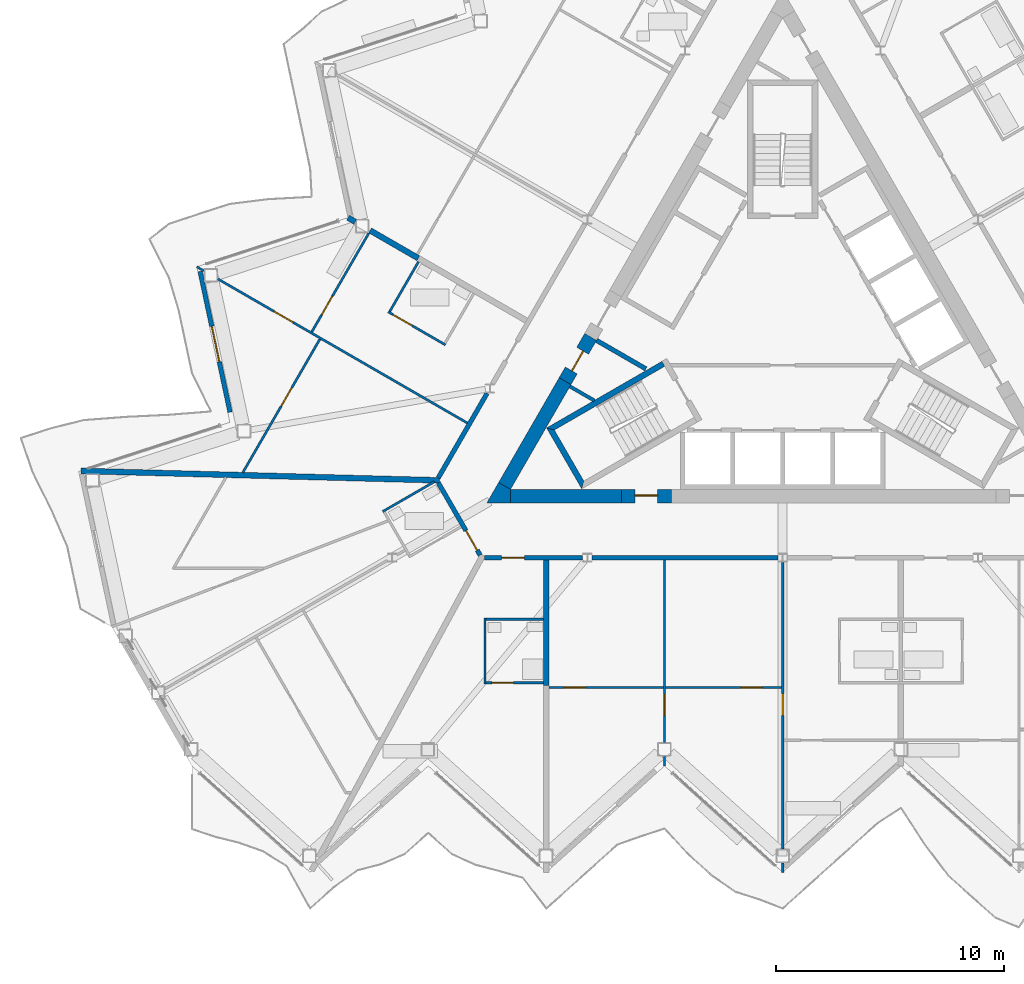
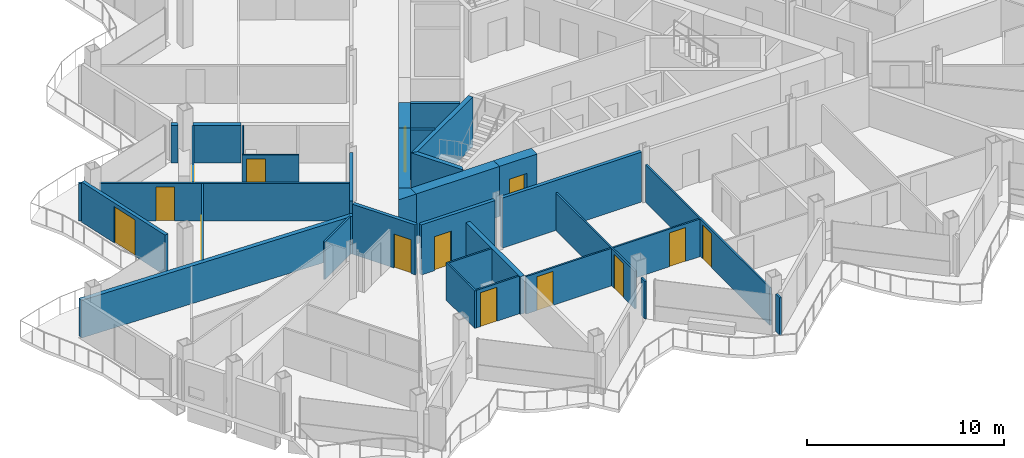
# One storey, part 14 of 28: 33 walls, 14 doors, 14 openings.
"""IFC4 building model written with IfcOpenShell, lengths in metres."""

from ifc_helpers import new_model, si_unit, direction, frame, frame_2d, origin, place, context, subcontext, project, spatial, polyline, rectangle, outline, extrude, material, layer, layer_set, type_object, element, fill, save


model = new_model("IFC4")

# Units and contexts
model_context = context("Model", 3, precision=1e-05, world=origin(), true_north=direction((0.0, 1.0)))
body_context = subcontext(model_context, "Body", "Model", "MODEL_VIEW")
ifc_project = project(units=[si_unit("LENGTHUNIT", "METRE"), si_unit("AREAUNIT", "SQUARE_METRE"), si_unit("VOLUMEUNIT", "CUBIC_METRE"), si_unit("PLANEANGLEUNIT", "RADIAN"), si_unit("MASSUNIT", "GRAM", prefix="KILO")], contexts=[model_context])

# Site, building, storey
site_placement = place(None, origin())
site = spatial("IfcSite", under=ifc_project, at=site_placement, CompositionType="ELEMENT")
building_placement = place(site_placement, origin())
building = spatial("IfcBuilding", under=site, at=building_placement, Name="Cormorant Prow Tower", CompositionType="ELEMENT")
storey_placement = place(building_placement, frame((0.0, 0.0, 301.800048828125)))
storey = spatial("IfcBuildingStorey", under=building, at=storey_placement, Name="L65", CompositionType="ELEMENT", Elevation=301.800048828125)

# Walls
ifc_material_1 = material(Name="Gypsum board partition")
ifc_layer_1 = layer(ifc_material_1, 0.14990234375)
ifc_layer_set_1 = layer_set([ifc_layer_1], Name="Gypsum board partition")
wall_type_1 = type_object("IfcWallType", Name="Core partition 150", PredefinedType="PARTITIONING", material=ifc_layer_set_1)
wall_1_placement = place(storey_placement, frame((-9.349609375, -2.3828125, 0.0), z_axis=(0.0, 0.0, 1.0), x_axis=(0.866057962423, -0.499943602543, 0.0)))
element("IfcWall", 1, at=wall_1_placement, inside=storey, type_object=wall_type_1, Name="Service room partition", PredefinedType="PARTITIONING", context=body_context, shape_type="SweptSolid", body=[
    extrude(rectangle(XDim=1.242431640625, YDim=0.14990234375, at=frame_2d((0.62109375, 0.0))), origin(), (0.0, 0.0, 1.0), 3.099853515625),
])
ifc_material_2 = material(Name="Concrete 8000 psi", Category="concrete")
ifc_layer_2 = layer(ifc_material_2, 0.60009765625)
ifc_layer_set_2 = layer_set([ifc_layer_2], Name="Concrete 8000 psi")
wall_type_2 = type_object("IfcWallType", Name="Core shear wall 600", PredefinedType="SHEAR", material=ifc_layer_set_2)
wall_2_placement = place(storey_placement, frame((-11.960693359375, -7.20556640625, 0.0), z_axis=(0.0, 0.0, 1.0), x_axis=(1.0, 0.0, 0.0)))
element("IfcWall", 2, at=wall_2_placement, inside=storey, type_object=wall_type_2, Name="Core wall", PredefinedType="SHEAR", context=body_context, shape_type="SweptSolid", body=[
    extrude(rectangle(XDim=4.868408203125, YDim=0.60009765625, at=frame_2d((2.43408203125, 0.0))), origin(), (0.0, 0.0, 1.0), 3.099853515625),
])
wall_3_placement = place(storey_placement, frame((-9.561767578125, -2.150390625, 0.0), z_axis=(0.0, 0.0, 1.0), x_axis=(-0.500015214976, -0.866016619236, 0.0)))
element("IfcWall", 3, at=wall_3_placement, inside=storey, type_object=wall_type_2, Name="Core wall", PredefinedType="SHEAR", context=body_context, shape_type="SweptSolid", body=[
    extrude(rectangle(XDim=5.317626953125, YDim=0.60009765625, at=frame_2d((2.65869140625, 0.0))), origin(), (0.0, 0.0, 1.0), 3.099853515625),
])
wall_4_placement = place(storey_placement, origin())
element("IfcWall", 4, at=wall_4_placement, inside=storey, type_object=wall_type_2, Name="Core wall corner", PredefinedType="SHEAR", context=body_context, shape_type="SweptSolid", body=[
    extrude(outline(polyline([(-12.48046875, -6.605712890625), (-11.960693359375, -6.905517578125), (-11.960693359375, -7.505615234375), (-13.0, -7.505615234375), (-12.48046875, -6.605712890625)])), origin(), (0.0, 0.0, 1.0), 3.099853515625),
])

# Wall, opening, door
wall_5_placement = place(storey_placement, frame((-7.09228515625, -7.20556640625, 0.0), z_axis=(0.0, 0.0, 1.0), x_axis=(1.0, 0.0, 0.0)))
wall_5 = element("IfcWall", 5, at=wall_5_placement, inside=storey, type_object=wall_type_2, Name="Core wall door panel", PredefinedType="SHEAR", context=body_context, shape_type="SweptSolid", body=[
    extrude(rectangle(XDim=2.2001953125, YDim=0.60009765625, at=frame_2d((1.10009765625, 0.0))), origin(), (0.0, 0.0, 1.0), 3.099853515625),
])
opening_1_placement = place(wall_5_placement, frame((0.60009765625, 0.0, 0.0)))
opening_1 = element("IfcOpeningElement", 6, at=opening_1_placement, cuts=wall_5, Name="Opening L65-C16", PredefinedType="OPENING", context=body_context, shape_type="SweptSolid", body=[
    extrude(rectangle(XDim=1.0, YDim=2.10009765625, at=frame_2d((0.5, 1.050048828125))), frame((0.0, 0.31005859375, 0.0), z_axis=(0.0, -1.0, 0.0), x_axis=(1.0, 0.0, 0.0)), (0.0, 0.0, 1.0), 0.6201171875),
])
ifc_material_3 = material(Name="Painted steel", Category="steel")
door_type_1 = type_object("IfcDoorType", Name="Service door 1000x2100", OperationType="NOTDEFINED", PredefinedType="DOOR", material=ifc_material_3)
door_1_placement = place(opening_1_placement, origin())
door_1 = element("IfcDoor", 7, at=door_1_placement, inside=storey, type_object=door_type_1, Name="Core door, Pantry store", OperationType="SINGLE_SWING_LEFT", OverallHeight=2.10009765625, OverallWidth=1.0, PredefinedType="DOOR", context=body_context, shape_type="SweptSolid", body=[
    extrude(rectangle(XDim=1.0, YDim=2.10009765625, at=frame_2d((0.5, 1.050048828125))), frame((0.0, 0.05517578125, 0.0), z_axis=(0.0, -1.0, 0.0), x_axis=(1.0, 0.0, 0.0)), (0.0, 0.0, 1.0), 0.050048828125),
])
fill(opening_1, door_1)

wall_6_placement = place(storey_placement, frame((-8.440185546875, -0.207763671875, 0.0), z_axis=(0.0, 0.0, 1.0), x_axis=(-0.500001951578, -0.866024277037, 0.0)))
wall_6 = element("IfcWall", 8, at=wall_6_placement, inside=storey, type_object=wall_type_2, Name="Core wall door panel", PredefinedType="SHEAR", context=body_context, shape_type="SweptSolid", body=[
    extrude(rectangle(XDim=2.2431640625, YDim=0.60009765625, at=frame_2d((1.12158203125, 0.0))), origin(), (0.0, 0.0, 1.0), 3.099853515625),
])
opening_2_placement = place(wall_6_placement, frame((0.699951171875, 0.0, 0.0)))
opening_2 = element("IfcOpeningElement", 9, at=opening_2_placement, cuts=wall_6, Name="Opening L65-C18", PredefinedType="OPENING", context=body_context, shape_type="SweptSolid", body=[
    extrude(rectangle(XDim=1.0, YDim=2.10009765625, at=frame_2d((0.5, 1.050048828125))), frame((0.0, 0.31005859375, 0.0), z_axis=(0.0, -1.0, 0.0), x_axis=(1.0, 0.0, 0.0)), (0.0, 0.0, 1.0), 0.6201171875),
])
door_2_placement = place(opening_2_placement, origin())
door_2 = element("IfcDoor", 10, at=door_2_placement, inside=storey, type_object=door_type_1, Name="Core door, Mechanical riser room", OperationType="SINGLE_SWING_LEFT", OverallHeight=2.10009765625, OverallWidth=1.0, PredefinedType="DOOR", context=body_context, shape_type="SweptSolid", body=[
    extrude(rectangle(XDim=1.0, YDim=2.10009765625, at=frame_2d((0.5, 1.050048828125))), frame((0.0, 0.05517578125, 0.0), z_axis=(0.0, -1.0, 0.0), x_axis=(1.0, 0.0, 0.0)), (0.0, 0.0, 1.0), 0.050048828125),
])
fill(opening_2, door_2)

# Wall
ifc_material_4 = material(Name="Gypsum board corridor wall")
ifc_layer_3 = layer(ifc_material_4, 0.199951171875)
ifc_layer_set_3 = layer_set([ifc_layer_3], Name="Gypsum board corridor wall")
wall_type_3 = type_object("IfcWallType", Name="Corridor wall 200", PredefinedType="PARTITIONING", material=ifc_layer_set_3)
wall_7_placement = place(storey_placement, frame((-8.370849609375, -9.905517578125, 0.0), z_axis=(0.0, 0.0, 1.0), x_axis=(1.0, 0.0, 0.0)))
element("IfcWall", 11, at=wall_7_placement, inside=storey, type_object=wall_type_3, Name="Corridor wall", PredefinedType="PARTITIONING", context=body_context, shape_type="SweptSolid", body=[
    extrude(rectangle(XDim=8.1630859375, YDim=0.199951171875, at=frame_2d((4.08154296875, 0.0))), origin(), (0.0, 0.0, 1.0), 3.099853515625),
])

# Wall, opening, door
wall_8_placement = place(storey_placement, frame((-13.10595703125, -9.905517578125, 0.0), z_axis=(0.0, 0.0, 1.0), x_axis=(1.0, 0.0, 0.0)))
wall_8 = element("IfcWall", 12, at=wall_8_placement, inside=storey, type_object=wall_type_3, Name="Corridor wall", PredefinedType="PARTITIONING", context=body_context, shape_type="SweptSolid", body=[
    extrude(rectangle(XDim=4.31982421875, YDim=0.199951171875, at=frame_2d((2.159912109375, 0.0))), origin(), (0.0, 0.0, 1.0), 3.099853515625),
])
opening_3_placement = place(wall_8_placement, frame((0.75341796875, 0.0, 0.0)))
opening_3 = element("IfcOpeningElement", 13, at=opening_3_placement, cuts=wall_8, Name="Opening L65-F01", PredefinedType="OPENING", context=body_context, shape_type="SweptSolid", body=[
    extrude(rectangle(XDim=1.0, YDim=2.10009765625, at=frame_2d((0.5, 1.050048828125))), frame((0.0, 0.10986328125, 0.0), z_axis=(0.0, -1.0, 0.0), x_axis=(1.0, 0.0, 0.0)), (0.0, 0.0, 1.0), 0.219970703125),
])
ifc_material_5 = material(Name="Timber door leaf", Category="wood")
door_type_2 = type_object("IfcDoorType", Name="Flat or room entrance door 1000x2100", OperationType="NOTDEFINED", PredefinedType="DOOR", material=ifc_material_5)
door_3_placement = place(opening_3_placement, origin())
door_3 = element("IfcDoor", 14, at=door_3_placement, inside=storey, type_object=door_type_2, Name="Studio living, kitchen and sleeping room door", OperationType="SINGLE_SWING_LEFT", OverallHeight=2.10009765625, OverallWidth=1.0, PredefinedType="DOOR", context=body_context, shape_type="SweptSolid", body=[
    extrude(rectangle(XDim=1.0, YDim=2.10009765625, at=frame_2d((0.5, 1.050048828125))), frame((0.0, 0.02490234375, 0.0), z_axis=(0.0, -1.0, 0.0), x_axis=(1.0, 0.0, 0.0)), (0.0, 0.0, 1.0), 0.050048828125),
])
fill(opening_3, door_3)

# Wall
wall_9_placement = place(storey_placement, frame((-15.13134765625, -6.397216796875, 0.0), z_axis=(0.0, 0.0, 1.0), x_axis=(0.500003406062, 0.866023437285, 0.0)))
element("IfcWall", 15, at=wall_9_placement, inside=storey, type_object=wall_type_3, Name="Corridor wall", PredefinedType="PARTITIONING", context=body_context, shape_type="SweptSolid", body=[
    extrude(rectangle(XDim=4.28759765625, YDim=0.199951171875, at=frame_2d((2.143798828125, 0.0))), origin(), (0.0, 0.0, 1.0), 3.099853515625),
])

# Wall, opening, door
wall_10_placement = place(storey_placement, frame((-15.13134765625, -6.61376953125, 0.0), z_axis=(0.0, 0.0, 1.0), x_axis=(0.499967746641, -0.866044024469, 0.0)))
wall_10 = element("IfcWall", 16, at=wall_10_placement, inside=storey, type_object=wall_type_3, Name="Corridor wall", PredefinedType="PARTITIONING", context=body_context, shape_type="SweptSolid", body=[
    extrude(rectangle(XDim=3.676025390625, YDim=0.199951171875, at=frame_2d((1.837890625, 0.0))), origin(), (0.0, 0.0, 1.0), 3.099853515625),
])
opening_4_placement = place(wall_10_placement, frame((2.426025390625, 0.0, 0.0)))
opening_4 = element("IfcOpeningElement", 17, at=opening_4_placement, cuts=wall_10, Name="Opening L65-F51", PredefinedType="OPENING", context=body_context, shape_type="SweptSolid", body=[
    extrude(rectangle(XDim=1.0, YDim=2.10009765625, at=frame_2d((0.5, 1.050048828125))), frame((0.0, 0.10986328125, 0.0), z_axis=(0.0, -1.0, 0.0), x_axis=(1.0, 0.0, 0.0)), (0.0, 0.0, 1.0), 0.219970703125),
])
door_4_placement = place(opening_4_placement, origin())
door_4 = element("IfcDoor", 18, at=door_4_placement, inside=storey, type_object=door_type_2, Name="Living room door", OperationType="SINGLE_SWING_RIGHT", OverallHeight=2.10009765625, OverallWidth=1.0, PredefinedType="DOOR", context=body_context, shape_type="SweptSolid", body=[
    extrude(rectangle(XDim=1.0, YDim=2.10009765625, at=frame_2d((0.5, 1.050048828125))), frame((0.0, 0.02490234375, 0.0), z_axis=(0.0, -1.0, 0.0), x_axis=(1.0, 0.0, 0.0)), (0.0, 0.0, 1.0), 0.050048828125),
])
fill(opening_4, door_4)

ifc_material_6 = material(Name="Gypsum board partition")
ifc_layer_4 = layer(ifc_material_6, 0.10009765625)
ifc_layer_set_4 = layer_set([ifc_layer_4], Name="Gypsum board partition")
wall_type_4 = type_object("IfcWallType", Name="Internal partition 100", PredefinedType="PARTITIONING", material=ifc_layer_set_4)
wall_11_placement = place(storey_placement, frame((-24.814697265625, 2.3388671875, 0.0), z_axis=(0.0, 0.0, 1.0), x_axis=(0.866021406514, -0.500006923412, 0.0)))
wall_11 = element("IfcWall", 19, at=wall_11_placement, inside=storey, type_object=wall_type_4, Name="Internal partition", PredefinedType="PARTITIONING", context=body_context, shape_type="SweptSolid", body=[
    extrude(rectangle(XDim=12.654052734375, YDim=0.10009765625, at=frame_2d((6.3271484375, 0.0))), origin(), (0.0, 0.0, 1.0), 2.330078125),
])
opening_5_placement = place(wall_11_placement, frame((2.850830078125, 0.0, 0.0)))
opening_5 = element("IfcOpeningElement", 20, at=opening_5_placement, cuts=wall_11, Name="Opening L65-F49", PredefinedType="OPENING", context=body_context, shape_type="SweptSolid", body=[
    extrude(rectangle(XDim=0.949951171875, YDim=2.10009765625, at=frame_2d((0.47509765625, 1.050048828125))), frame((0.0, 0.06005859375, 0.0), z_axis=(0.0, -1.0, 0.0), x_axis=(1.0, 0.0, 0.0)), (0.0, 0.0, 1.0), 0.1201171875),
])
ifc_material_7 = material(Name="Timber door leaf", Category="wood")
door_type_3 = type_object("IfcDoorType", Name="Bathroom door 950x2100", OperationType="NOTDEFINED", PredefinedType="DOOR", material=ifc_material_7)
door_5_placement = place(opening_5_placement, origin())
door_5 = element("IfcDoor", 21, at=door_5_placement, inside=storey, type_object=door_type_3, Name="Kitchen door", OperationType="SINGLE_SWING_RIGHT", OverallHeight=2.10009765625, OverallWidth=0.949951171875, PredefinedType="DOOR", context=body_context, shape_type="SweptSolid", body=[
    extrude(rectangle(XDim=0.949951171875, YDim=2.10009765625, at=frame_2d((0.47509765625, 1.050048828125))), frame((0.0, 0.02490234375, 0.0), z_axis=(0.0, -1.0, 0.0), x_axis=(1.0, 0.0, 0.0)), (0.0, 0.0, 1.0), 0.050048828125),
])
fill(opening_5, door_5)

wall_12_placement = place(storey_placement, frame((0.0, -22.697998046875, 0.0), z_axis=(0.0, 0.0, 1.0), x_axis=(0.0, 1.0, 0.0)))
wall_12 = element("IfcWall", 22, at=wall_12_placement, inside=storey, type_object=wall_type_4, Name="Internal partition", PredefinedType="PARTITIONING", context=body_context, shape_type="SweptSolid", body=[
    extrude(rectangle(XDim=12.584716796875, YDim=0.10009765625, at=frame_2d((6.29248046875, 0.0))), origin(), (0.0, 0.0, 1.0), 2.330078125),
])
opening_6_placement = place(wall_12_placement, frame((5.86767578125, 0.0, 0.0)))
opening_6 = element("IfcOpeningElement", 23, at=opening_6_placement, cuts=wall_12, Name="Opening L65-F06", PredefinedType="OPENING", context=body_context, shape_type="SweptSolid", body=[
    extrude(rectangle(XDim=0.949951171875, YDim=2.10009765625, at=frame_2d((0.47509765625, 1.050048828125))), frame((0.0, 0.06005859375, 0.0), z_axis=(0.0, -1.0, 0.0), x_axis=(1.0, 0.0, 0.0)), (0.0, 0.0, 1.0), 0.1201171875),
])
door_6_placement = place(opening_6_placement, origin())
door_6 = element("IfcDoor", 24, at=door_6_placement, inside=storey, type_object=door_type_3, Name="Living room door", OperationType="SINGLE_SWING_RIGHT", OverallHeight=2.10009765625, OverallWidth=0.949951171875, PredefinedType="DOOR", context=body_context, shape_type="SweptSolid", body=[
    extrude(rectangle(XDim=0.949951171875, YDim=2.10009765625, at=frame_2d((0.47509765625, 1.050048828125))), frame((0.0, 0.02490234375, 0.0), z_axis=(0.0, -1.0, 0.0), x_axis=(1.0, 0.0, 0.0)), (0.0, 0.0, 1.0), 0.050048828125),
])
fill(opening_6, door_6)

# Wall, openings, doors
wall_13_placement = place(storey_placement, frame((-10.2568359375, -15.612548828125, 0.0), z_axis=(0.0, 0.0, 1.0), x_axis=(1.0, 0.0, 0.0)))
wall_13 = element("IfcWall", 25, at=wall_13_placement, inside=storey, type_object=wall_type_4, Name="Internal partition", PredefinedType="PARTITIONING", context=body_context, shape_type="SweptSolid", body=[
    extrude(rectangle(XDim=10.206787109375, YDim=0.10009765625, at=frame_2d((5.103515625, 0.0))), origin(), (0.0, 0.0, 1.0), 2.330078125),
])
opening_7_placement = place(wall_13_placement, frame((8.403076171875, 0.0, 0.0)))
opening_7 = element("IfcOpeningElement", 26, at=opening_7_placement, cuts=wall_13, Name="Opening L65-F07", PredefinedType="OPENING", context=body_context, shape_type="SweptSolid", body=[
    extrude(rectangle(XDim=0.949951171875, YDim=2.10009765625, at=frame_2d((0.47509765625, 1.050048828125))), frame((0.0, 0.06005859375, 0.0), z_axis=(0.0, -1.0, 0.0), x_axis=(1.0, 0.0, 0.0)), (0.0, 0.0, 1.0), 0.1201171875),
])
opening_8_placement = place(wall_13_placement, frame((0.652587890625, 0.0, 0.0)))
opening_8 = element("IfcOpeningElement", 27, at=opening_8_placement, cuts=wall_13, Name="Opening L65-F09", PredefinedType="OPENING", context=body_context, shape_type="SweptSolid", body=[
    extrude(rectangle(XDim=0.949951171875, YDim=2.10009765625, at=frame_2d((0.47509765625, 1.050048828125))), frame((0.0, 0.06005859375, 0.0), z_axis=(0.0, -1.0, 0.0), x_axis=(1.0, 0.0, 0.0)), (0.0, 0.0, 1.0), 0.1201171875),
])
door_7_placement = place(opening_7_placement, origin())
door_7 = element("IfcDoor", 28, at=door_7_placement, inside=storey, type_object=door_type_3, Name="Bedroom door", OperationType="SINGLE_SWING_RIGHT", OverallHeight=2.10009765625, OverallWidth=0.949951171875, PredefinedType="DOOR", context=body_context, shape_type="SweptSolid", body=[
    extrude(rectangle(XDim=0.949951171875, YDim=2.10009765625, at=frame_2d((0.47509765625, 1.050048828125))), frame((0.0, 0.02490234375, 0.0), z_axis=(0.0, -1.0, 0.0), x_axis=(1.0, 0.0, 0.0)), (0.0, 0.0, 1.0), 0.050048828125),
])
fill(opening_7, door_7)
door_8_placement = place(opening_8_placement, origin())
door_8 = element("IfcDoor", 29, at=door_8_placement, inside=storey, type_object=door_type_3, Name="Bedroom door", OperationType="SINGLE_SWING_LEFT", OverallHeight=2.10009765625, OverallWidth=0.949951171875, PredefinedType="DOOR", context=body_context, shape_type="SweptSolid", body=[
    extrude(rectangle(XDim=0.949951171875, YDim=2.10009765625, at=frame_2d((0.47509765625, 1.050048828125))), frame((0.0, 0.02490234375, 0.0), z_axis=(0.0, -1.0, 0.0), x_axis=(1.0, 0.0, 0.0)), (0.0, 0.0, 1.0), 0.050048828125),
])
fill(opening_8, door_8)

# Wall, opening, door
wall_14_placement = place(storey_placement, frame((-5.19091796875, -18.016845703125, 0.0), z_axis=(0.0, 0.0, 1.0), x_axis=(0.0, 1.0, 0.0)))
wall_14 = element("IfcWall", 30, at=wall_14_placement, inside=storey, type_object=wall_type_4, Name="Internal partition", PredefinedType="PARTITIONING", context=body_context, shape_type="SweptSolid", body=[
    extrude(rectangle(XDim=8.01123046875, YDim=0.10009765625, at=frame_2d((4.005615234375, 0.0))), origin(), (0.0, 0.0, 1.0), 2.330078125),
])
opening_9_placement = place(wall_14_placement, frame((1.158447265625, 0.0, 0.0)))
opening_9 = element("IfcOpeningElement", 31, at=opening_9_placement, cuts=wall_14, Name="Opening L65-F08", PredefinedType="OPENING", context=body_context, shape_type="SweptSolid", body=[
    extrude(rectangle(XDim=0.949951171875, YDim=2.10009765625, at=frame_2d((0.47509765625, 1.050048828125))), frame((0.0, 0.06005859375, 0.0), z_axis=(0.0, -1.0, 0.0), x_axis=(1.0, 0.0, 0.0)), (0.0, 0.0, 1.0), 0.1201171875),
])
door_9_placement = place(opening_9_placement, origin())
door_9 = element("IfcDoor", 32, at=door_9_placement, inside=storey, type_object=door_type_3, Name="Bedroom door", OperationType="SINGLE_SWING_RIGHT", OverallHeight=2.10009765625, OverallWidth=0.949951171875, PredefinedType="DOOR", context=body_context, shape_type="SweptSolid", body=[
    extrude(rectangle(XDim=0.949951171875, YDim=2.10009765625, at=frame_2d((0.47509765625, 1.050048828125))), frame((0.0, 0.02490234375, 0.0), z_axis=(0.0, -1.0, 0.0), x_axis=(1.0, 0.0, 0.0)), (0.0, 0.0, 1.0), 0.050048828125),
])
fill(opening_9, door_9)

wall_15_placement = place(storey_placement, frame((-23.721923828125, -6.17236328125, 0.0), z_axis=(0.0, 0.0, 1.0), x_axis=(0.499991774685, 0.86603015262, 0.0)))
wall_15 = element("IfcWall", 33, at=wall_15_placement, inside=storey, type_object=wall_type_4, Name="Internal partition", PredefinedType="PARTITIONING", context=body_context, shape_type="SweptSolid", body=[
    extrude(rectangle(XDim=6.7744140625, YDim=0.10009765625, at=frame_2d((3.38720703125, 0.0))), origin(), (0.0, 0.0, 1.0), 2.330078125),
])
opening_10_placement = place(wall_15_placement, frame((3.3642578125, 0.0, 0.0)))
opening_10 = element("IfcOpeningElement", 34, at=opening_10_placement, cuts=wall_15, Name="Opening L65-F50", PredefinedType="OPENING", context=body_context, shape_type="SweptSolid", body=[
    extrude(rectangle(XDim=0.949951171875, YDim=2.10009765625, at=frame_2d((0.47509765625, 1.050048828125))), frame((0.0, 0.06005859375, 0.0), z_axis=(0.0, -1.0, 0.0), x_axis=(1.0, 0.0, 0.0)), (0.0, 0.0, 1.0), 0.1201171875),
])
door_10_placement = place(opening_10_placement, origin())
door_10 = element("IfcDoor", 35, at=door_10_placement, inside=storey, type_object=door_type_3, Name="Bedroom door", OperationType="SINGLE_SWING_RIGHT", OverallHeight=2.10009765625, OverallWidth=0.949951171875, PredefinedType="DOOR", context=body_context, shape_type="SweptSolid", body=[
    extrude(rectangle(XDim=0.949951171875, YDim=2.10009765625, at=frame_2d((0.47509765625, 1.050048828125))), frame((0.0, 0.02490234375, 0.0), z_axis=(0.0, -1.0, 0.0), x_axis=(1.0, 0.0, 0.0)), (0.0, 0.0, 1.0), 0.050048828125),
])
fill(opening_10, door_10)

wall_16_placement = place(storey_placement, frame((-20.68896484375, 0.014404296875, 0.0), z_axis=(0.0, 0.0, 1.0), x_axis=(0.500003822013, 0.866023197133, 0.0)))
wall_16 = element("IfcWall", 36, at=wall_16_placement, inside=storey, type_object=wall_type_4, Name="Internal partition", PredefinedType="PARTITIONING", context=body_context, shape_type="SweptSolid", body=[
    extrude(rectangle(XDim=5.00732421875, YDim=0.10009765625, at=frame_2d((2.503662109375, 0.0))), origin(), (0.0, 0.0, 1.0), 2.330078125),
])
opening_11_placement = place(wall_16_placement, frame((0.85986328125, 0.0, 0.0)))
opening_11 = element("IfcOpeningElement", 37, at=opening_11_placement, cuts=wall_16, Name="Opening L65-F48", PredefinedType="OPENING", context=body_context, shape_type="SweptSolid", body=[
    extrude(rectangle(XDim=0.949951171875, YDim=2.10009765625, at=frame_2d((0.47509765625, 1.050048828125))), frame((0.0, 0.06005859375, 0.0), z_axis=(0.0, -1.0, 0.0), x_axis=(1.0, 0.0, 0.0)), (0.0, 0.0, 1.0), 0.1201171875),
])
door_11_placement = place(opening_11_placement, origin())
door_11 = element("IfcDoor", 38, at=door_11_placement, inside=storey, type_object=door_type_3, Name="Living room door", OperationType="SINGLE_SWING_LEFT", OverallHeight=2.10009765625, OverallWidth=0.949951171875, PredefinedType="DOOR", context=body_context, shape_type="SweptSolid", body=[
    extrude(rectangle(XDim=0.949951171875, YDim=2.10009765625, at=frame_2d((0.47509765625, 1.050048828125))), frame((0.0, 0.02490234375, 0.0), z_axis=(0.0, -1.0, 0.0), x_axis=(1.0, 0.0, 0.0)), (0.0, 0.0, 1.0), 0.050048828125),
])
fill(opening_11, door_11)

wall_17_placement = place(storey_placement, frame((-17.330322265625, 0.89404296875, 0.0), z_axis=(0.0, 0.0, 1.0), x_axis=(0.866032775405, -0.499987231761, 0.0)))
wall_17 = element("IfcWall", 39, at=wall_17_placement, inside=storey, type_object=wall_type_4, Name="Internal partition", PredefinedType="PARTITIONING", context=body_context, shape_type="SweptSolid", body=[
    extrude(rectangle(XDim=2.89990234375, YDim=0.10009765625, at=frame_2d((1.449951171875, 0.0))), origin(), (0.0, 0.0, 1.0), 2.330078125),
])
opening_12_placement = place(wall_17_placement, frame((0.25, 0.0, 0.0)))
opening_12 = element("IfcOpeningElement", 40, at=opening_12_placement, cuts=wall_17, Name="Opening L65-F47", PredefinedType="OPENING", context=body_context, shape_type="SweptSolid", body=[
    extrude(rectangle(XDim=0.949951171875, YDim=2.10009765625, at=frame_2d((0.47509765625, 1.050048828125))), frame((0.0, 0.06005859375, 0.0), z_axis=(0.0, -1.0, 0.0), x_axis=(1.0, 0.0, 0.0)), (0.0, 0.0, 1.0), 0.1201171875),
])
door_12_placement = place(opening_12_placement, origin())
door_12 = element("IfcDoor", 41, at=door_12_placement, inside=storey, type_object=door_type_3, Name="Living room door", OperationType="SINGLE_SWING_LEFT", OverallHeight=2.10009765625, OverallWidth=0.949951171875, PredefinedType="DOOR", context=body_context, shape_type="SweptSolid", body=[
    extrude(rectangle(XDim=0.949951171875, YDim=2.10009765625, at=frame_2d((0.47509765625, 1.050048828125))), frame((0.0, 0.02490234375, 0.0), z_axis=(0.0, -1.0, 0.0), x_axis=(1.0, 0.0, 0.0)), (0.0, 0.0, 1.0), 0.050048828125),
])
fill(opening_12, door_12)

# Walls
wall_18_placement = place(storey_placement, frame((-13.081787109375, -15.45556640625, 0.0), z_axis=(0.0, 0.0, 1.0), x_axis=(0.0, 1.0, 0.0)))
element("IfcWall", 42, at=wall_18_placement, inside=storey, type_object=wall_type_4, Name="Internal partition", PredefinedType="PARTITIONING", context=body_context, shape_type="SweptSolid", body=[
    extrude(rectangle(XDim=2.89990234375, YDim=0.10009765625, at=frame_2d((1.449951171875, 0.0))), origin(), (0.0, 0.0, 1.0), 2.330078125),
])
for number, where, z_axis, x_axis, name in (
    (43, (-17.26220703125, 0.912353515625, 0.0), (0.0, 0.0, 1.0), (0.500048846702, 0.865997200291, 0.0), "Internal partition"),
    (44, (-13.031982421875, -12.605712890625, 0.0), (0.0, 0.0, 1.0), (1.0, 0.0, 0.0), "Internal partition"),
):
    element("IfcWall", number, at=place(storey_placement, frame(where, z_axis=z_axis, x_axis=x_axis)), inside=storey, type_object=wall_type_4, Name=name, PredefinedType="PARTITIONING", context=body_context, shape_type="SweptSolid", body=[
        extrude(rectangle(XDim=2.525146484375, YDim=0.10009765625, at=frame_2d((1.2626953125, 0.0))), origin(), (0.0, 0.0, 1.0), 2.330078125),
    ])

# Wall, opening, door
wall_19_placement = place(storey_placement, frame((-13.031982421875, -15.405517578125, 0.0), z_axis=(0.0, 0.0, 1.0), x_axis=(1.0, 0.0, 0.0)))
wall_19 = element("IfcWall", 45, at=wall_19_placement, inside=storey, type_object=wall_type_4, Name="Internal partition", PredefinedType="PARTITIONING", context=body_context, shape_type="SweptSolid", body=[
    extrude(rectangle(XDim=2.525146484375, YDim=0.10009765625, at=frame_2d((1.2626953125, 0.0))), origin(), (0.0, 0.0, 1.0), 2.330078125),
])
opening_13_placement = place(wall_19_placement, frame((0.25, 0.0, 0.0)))
opening_13 = element("IfcOpeningElement", 46, at=opening_13_placement, cuts=wall_19, Name="Opening L65-F02", PredefinedType="OPENING", context=body_context, shape_type="SweptSolid", body=[
    extrude(rectangle(XDim=0.949951171875, YDim=2.10009765625, at=frame_2d((0.47509765625, 1.050048828125))), frame((0.0, 0.06005859375, 0.0), z_axis=(0.0, -1.0, 0.0), x_axis=(1.0, 0.0, 0.0)), (0.0, 0.0, 1.0), 0.1201171875),
])
door_13_placement = place(opening_13_placement, origin())
door_13 = element("IfcDoor", 47, at=door_13_placement, inside=storey, type_object=door_type_3, Name="Studio living, kitchen and sleeping room door", OperationType="SINGLE_SWING_LEFT", OverallHeight=2.10009765625, OverallWidth=0.949951171875, PredefinedType="DOOR", context=body_context, shape_type="SweptSolid", body=[
    extrude(rectangle(XDim=0.949951171875, YDim=2.10009765625, at=frame_2d((0.47509765625, 1.050048828125))), frame((0.0, 0.02490234375, 0.0), z_axis=(0.0, -1.0, 0.0), x_axis=(1.0, 0.0, 0.0)), (0.0, 0.0, 1.0), 0.050048828125),
])
fill(opening_13, door_13)

# Walls
wall_20_placement = place(storey_placement, frame((-17.575439453125, -7.880615234375, 0.0), z_axis=(0.0, 0.0, 1.0), x_axis=(0.866013657776, 0.500020344131, 0.0)))
element("IfcWall", 48, at=wall_20_placement, inside=storey, type_object=wall_type_4, Name="Internal partition", PredefinedType="PARTITIONING", context=body_context, shape_type="SweptSolid", body=[
    extrude(rectangle(XDim=2.625, YDim=0.10009765625, at=frame_2d((1.3125, 0.0))), origin(), (0.0, 0.0, 1.0), 2.330078125),
])
wall_21_placement = place(storey_placement, frame((-5.19091796875, -19.054931640625, 0.0), z_axis=(0.0, 0.0, 1.0), x_axis=(0.0, 1.0, 0.0)))
element("IfcWall", 49, at=wall_21_placement, inside=storey, type_object=wall_type_4, Name="Internal partition", PredefinedType="PARTITIONING", context=body_context, shape_type="SweptSolid", body=[
    extrude(rectangle(XDim=0.418212890625, YDim=0.10009765625, at=frame_2d((0.208984375, 0.0))), origin(), (0.0, 0.0, 1.0), 2.330078125),
])
wall_22_placement = place(storey_placement, frame((0.0, -23.72900390625, 0.0), z_axis=(0.0, 0.0, 1.0), x_axis=(0.0, 1.0, 0.0)))
element("IfcWall", 50, at=wall_22_placement, inside=storey, type_object=wall_type_4, Name="Internal partition", PredefinedType="PARTITIONING", context=body_context, shape_type="SweptSolid", body=[
    extrude(rectangle(XDim=0.410888671875, YDim=0.10009765625, at=frame_2d((0.20556640625, 0.0))), origin(), (0.0, 0.0, 1.0), 2.330078125),
])
wall_23_placement = place(storey_placement, frame((-25.74072265625, 2.87353515625, 0.0), z_axis=(0.0, 0.0, 1.0), x_axis=(0.865851769275, -0.500300623268, 0.0)))
element("IfcWall", 51, at=wall_23_placement, inside=storey, type_object=wall_type_4, Name="Internal partition", PredefinedType="PARTITIONING", context=body_context, shape_type="SweptSolid", body=[
    extrude(rectangle(XDim=0.353271484375, YDim=0.10009765625, at=frame_2d((0.1767578125, 0.0))), origin(), (0.0, 0.0, 1.0), 2.330078125),
])
ifc_material_8 = material(Name="Concrete 8000 psi", Category="concrete")
ifc_layer_5 = layer(ifc_material_8, 0.199951171875)
ifc_layer_set_5 = layer_set([ifc_layer_5], Name="Concrete 8000 psi")
wall_type_5 = type_object("IfcWallType", Name="Lift shaft wall 200", PredefinedType="SHEAR", material=ifc_layer_set_5)
wall_24_placement = place(storey_placement, origin())
element("IfcWall", 52, at=wall_24_placement, inside=storey, type_object=wall_type_5, Name="Lift shaft walls, WNW block", PredefinedType="SHEAR", context=body_context, shape_type="SweptSolid", body=[
    extrude(outline(polyline([(-6.060546875, -1.697021484375), (-8.230712890625, -0.444091796875), (-8.130859375, -0.27099609375), (-5.96044921875, -1.52392578125), (-6.060546875, -1.697021484375)])), origin(), (0.0, 0.0, 1.0), 3.099853515625),
])
ifc_material_9 = material(Name="Concrete 8000 psi", Category="concrete")
ifc_layer_6 = layer(ifc_material_9, 0.25)
ifc_layer_set_6 = layer_set([ifc_layer_6], Name="Concrete 8000 psi")
wall_type_6 = type_object("IfcWallType", Name="Stair wall 250", PredefinedType="SHEAR", material=ifc_layer_set_6)
wall_25_placement = place(storey_placement, origin())
element("IfcWall", 53, at=wall_25_placement, inside=storey, type_object=wall_type_6, Name="Stair ST1 enclosure wall (flank)", PredefinedType="SHEAR", context=body_context, shape_type="SweptSolid", body=[
    extrude(outline(polyline([(-5.30712890625, -1.28125), (-10.37353515625, -4.206298828125), (-10.031982421875, -4.2978515625), (-5.18212890625, -1.497802734375), (-5.30712890625, -1.28125)])), origin(), (0.0, 0.0, 1.0), 3.099853515625),
])
wall_26_placement = place(storey_placement, origin())
element("IfcWall", 54, at=wall_26_placement, inside=storey, type_object=wall_type_6, Name="Stair ST1 enclosure wall (end)", PredefinedType="SHEAR", context=body_context, shape_type="SweptSolid", body=[
    extrude(outline(polyline([(-10.37353515625, -4.206298828125), (-8.82958984375, -6.880615234375), (-8.738037109375, -6.5390625), (-10.031982421875, -4.2978515625), (-10.37353515625, -4.206298828125)])), origin(), (0.0, 0.0, 1.0), 3.099853515625),
])
ifc_material_10 = material(Name="Acoustic gypsum party wall")
ifc_layer_7 = layer(ifc_material_10, 0.25)
ifc_layer_set_7 = layer_set([ifc_layer_7], Name="Acoustic gypsum party wall")
wall_type_7 = type_object("IfcWallType", Name="Suite party wall 250", PredefinedType="PARTITIONING", material=ifc_layer_set_7)
wall_27_placement = place(storey_placement, frame((-30.826904296875, -6.096435546875, 0.0), z_axis=(0.0, 0.0, 1.0), x_axis=(0.999657799118, -0.026158835273, 0.0)))
element("IfcWall", 55, at=wall_27_placement, inside=storey, type_object=wall_type_7, Name="Suite party wall", PredefinedType="PARTITIONING", context=body_context, shape_type="SweptSolid", body=[
    extrude(rectangle(XDim=15.763427734375, YDim=0.25, at=frame_2d((7.8818359375, 0.0))), origin(), (0.0, 0.0, 1.0), 2.330078125),
])
wall_28_placement = place(storey_placement, frame((-10.3818359375, -15.530517578125, 0.0), z_axis=(0.0, 0.0, 1.0), x_axis=(0.0, 1.0, 0.0)))
element("IfcWall", 56, at=wall_28_placement, inside=storey, type_object=wall_type_7, Name="Suite party wall", PredefinedType="PARTITIONING", context=body_context, shape_type="SweptSolid", body=[
    extrude(rectangle(XDim=5.52490234375, YDim=0.25, at=frame_2d((2.762451171875, 0.0))), origin(), (0.0, 0.0, 1.0), 2.330078125),
])
wall_29_placement = place(storey_placement, frame((-18.127197265625, 4.4716796875, 0.0), z_axis=(0.0, 0.0, 1.0), x_axis=(0.866017755388, -0.500013247177, 0.0)))
element("IfcWall", 57, at=wall_29_placement, inside=storey, type_object=wall_type_7, Name="Suite party wall", PredefinedType="PARTITIONING", context=body_context, shape_type="SweptSolid", body=[
    extrude(rectangle(XDim=2.44677734375, YDim=0.25, at=frame_2d((1.223388671875, 0.0))), origin(), (0.0, 0.0, 1.0), 2.330078125),
])
wall_30_placement = place(storey_placement, frame((-19.097412109375, 5.031982421875, 0.0), z_axis=(0.0, 0.0, 1.0), x_axis=(0.86609656662, -0.499876722092, 0.0)))
element("IfcWall", 58, at=wall_30_placement, inside=storey, type_object=wall_type_7, Name="Suite party wall", PredefinedType="PARTITIONING", context=body_context, shape_type="SweptSolid", body=[
    extrude(rectangle(XDim=0.365234375, YDim=0.25, at=frame_2d((0.1826171875, 0.0))), origin(), (0.0, 0.0, 1.0), 2.330078125),
])

# Wall, opening, door
ifc_material_11 = material(Name="Terracotta", Category="masonry")
ifc_layer_8 = layer(ifc_material_11, 0.199951171875)
ifc_layer_set_8 = layer_set([ifc_layer_8], Name="Terracotta")
wall_type_8 = type_object("IfcWallType", Name="Terracotta jamb wall 200", PredefinedType="SOLIDWALL", material=ifc_layer_set_8)
wall_31_placement = place(storey_placement, frame((-25.59521484375, 2.669921875, 0.0), z_axis=(0.0, 0.0, 1.0), x_axis=(0.207888316408, -0.978152568826, 0.0)))
wall_31 = element("IfcWall", 59, at=wall_31_placement, inside=storey, type_object=wall_type_8, Name="Terracotta jamb wall WNW07", PredefinedType="SOLIDWALL", context=body_context, shape_type="SweptSolid", body=[
    extrude(rectangle(XDim=6.32177734375, YDim=0.199951171875, at=frame_2d((3.160888671875, 0.0))), origin(), (0.0, 0.0, 1.0), 2.48779296875),
])
opening_14_placement = place(wall_31_placement, frame((2.463134765625, 0.0, 0.0)))
opening_14 = element("IfcOpeningElement", 60, at=opening_14_placement, cuts=wall_31, Name="Opening ED65.14", PredefinedType="OPENING", context=body_context, shape_type="SweptSolid", body=[
    extrude(rectangle(XDim=1.60009765625, YDim=2.25, at=frame_2d((0.800048828125, 1.125))), frame((0.0, 0.10986328125, 0.0), z_axis=(0.0, -1.0, 0.0), x_axis=(1.0, 0.0, 0.0)), (0.0, 0.0, 1.0), 0.219970703125),
])
ifc_material_12 = material(Name="Aluminium 6063-T6", Category="aluminium")
door_type_4 = type_object("IfcDoorType", Name="Balcony door 1600x2250", OperationType="DOUBLE_DOOR_SINGLE_SWING", PredefinedType="DOOR", material=ifc_material_12)
door_14_placement = place(opening_14_placement, origin())
door_14 = element("IfcDoor", 61, at=door_14_placement, inside=storey, type_object=door_type_4, Name="Balcony door WNW07 ED65.14", OperationType="DOUBLE_DOOR_SINGLE_SWING", OverallHeight=2.25, OverallWidth=1.60009765625, PredefinedType="DOOR", context=body_context, shape_type="SweptSolid", body=[
    extrude(rectangle(XDim=1.60009765625, YDim=2.25, at=frame_2d((0.800048828125, 1.125))), frame((0.0, 0.02490234375, 0.0), z_axis=(0.0, -1.0, 0.0), x_axis=(1.0, 0.0, 0.0)), (0.0, 0.0, 1.0), 0.050048828125),
])
fill(opening_14, door_14)

save(model, "model.ifc")
